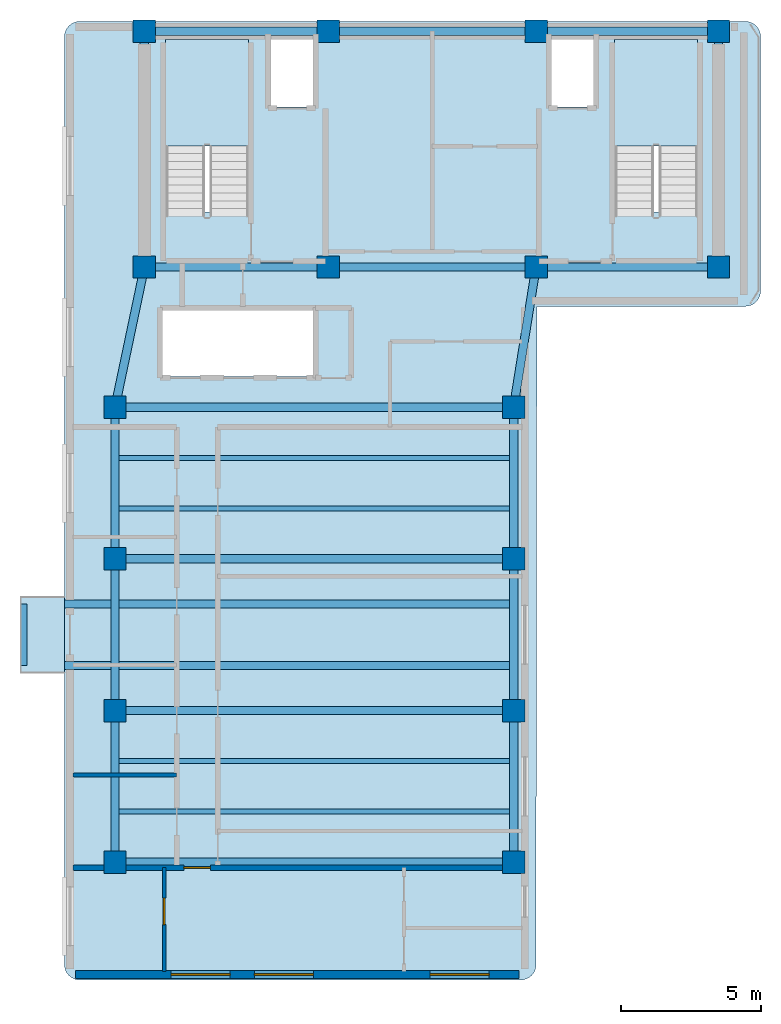
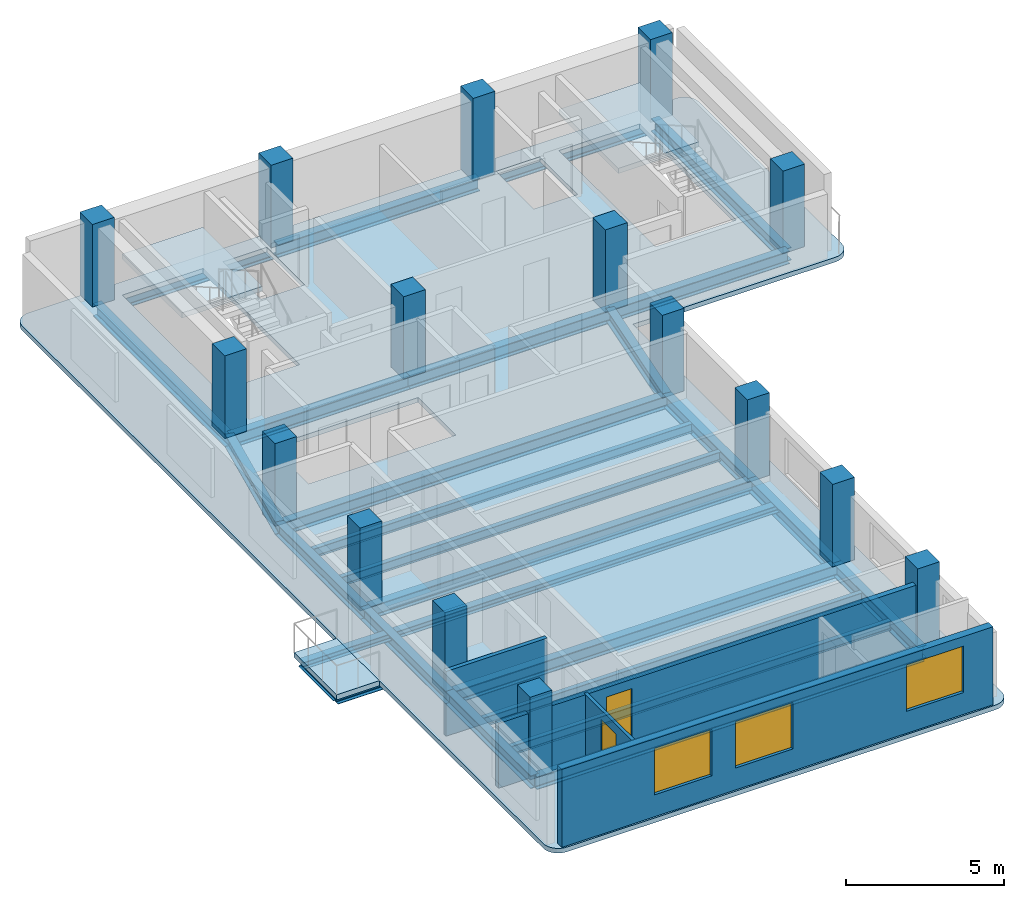
# One storey, part 1 of 6: 27 beams, 16 columns, 4 slabs, 4 walls, 3 windows, 2 doors, 5 openings, 2 elements without a shape of their own.
"""IFC4 building model written with IfcOpenShell, lengths in metres."""

from ifc_helpers import new_model, si_unit, direction, frame, frame_2d, origin, origin_2d, place, context, subcontext, project, spatial, polyline, rectangle, i_section, outline, extrude, material, layer, layer_set, material_profile, profile_set, type_object, element, fill, aggregate, save


model = new_model("IFC4")

# Units and contexts
model_context = context("Model", 3, precision=1e-05, world=origin(), true_north=direction((0.0, 1.0)))
body_context = subcontext(model_context, "Body", "Model", "MODEL_VIEW")
ifc_project = project(units=[si_unit("LENGTHUNIT", "METRE"), si_unit("AREAUNIT", "SQUARE_METRE"), si_unit("VOLUMEUNIT", "CUBIC_METRE"), si_unit("PLANEANGLEUNIT", "RADIAN"), si_unit("MASSUNIT", "GRAM", prefix="KILO")], contexts=[model_context])

# Site, building, storey
site_placement = place(None, origin())
site = spatial("IfcSite", under=ifc_project, at=site_placement, CompositionType="ELEMENT")
building_placement = place(site_placement, origin())
building = spatial("IfcBuilding", under=site, at=building_placement, Name="Kuzgunbayir Cultural Tower", CompositionType="ELEMENT")
storey_placement = place(building_placement, frame((0.0, 0.0, 218.39990234375)))
storey = spatial("IfcBuildingStorey", under=building, at=storey_placement, Name="L64", CompositionType="ELEMENT", Elevation=218.39990234375)

# Columns
ifc_material_1 = material(Name="Concrete C50/60", Category="concrete")
ifc_material_profile_1 = material_profile(ifc_material_1, rectangle(XDim=0.800048828125, YDim=0.800048828125, at=origin_2d()), Name="RC 800x800")
ifc_profile_set_1 = profile_set([ifc_material_profile_1], Name="Concrete C50/60")
column_type_1 = type_object("IfcColumnType", Name="COL-CORE-800", PredefinedType="COLUMN", material=ifc_profile_set_1)
for number, where, z_axis, x_axis, name in (
    (1, (6.449951171875, 33.800048828125, 0.0), (0.0, 0.0, 1.0), (1.0, 0.0, 0.0), "L64 T1 Core Boundary Column CC1-1"),
    (2, (13.0, 33.800048828125, 0.0), (0.0, 0.0, 1.0), (1.0, 0.0, 0.0), "L64 T1 Core Boundary Column CC1-2"),
    (3, (20.39990234375, 33.800048828125, 0.0), (0.0, 0.0, 1.0), (1.0, 0.0, 0.0), "L64 T1 Core Boundary Column CC1-3"),
    (4, (26.89990234375, 33.800048828125, 0.0), (0.0, 0.0, 1.0), (1.0, 0.0, 0.0), "L64 T1 Core Boundary Column CC1-4"),
    (5, (6.449951171875, 42.199951171875, 0.0), (0.0, 0.0, 1.0), (1.0, 0.0, 0.0), "L64 T1 Core Boundary Column CC1-5"),
    (6, (13.0, 42.199951171875, 0.0), (0.0, 0.0, 1.0), (1.0, 0.0, 0.0), "L64 T1 Core Boundary Column CC1-6"),
    (7, (20.39990234375, 42.199951171875, 0.0), (0.0, 0.0, 1.0), (1.0, 0.0, 0.0), "L64 T1 Core Boundary Column CC1-7"),
    (8, (26.89990234375, 42.199951171875, 0.0), (0.0, 0.0, 1.0), (1.0, 0.0, 0.0), "L64 T1 Core Boundary Column CC1-8"),
):
    element("IfcColumn", number, at=place(storey_placement, frame(where, z_axis=z_axis, x_axis=x_axis)), inside=storey, type_object=column_type_1, Name=name, PredefinedType="COLUMN", context=body_context, shape_type="SweptSolid", body=[
        extrude(rectangle(XDim=0.800048828125, YDim=0.800048828125, at=origin_2d()), origin(), (0.0, 0.0, 1.0), 3.2001953125),
    ])
ifc_material_profile_2 = material_profile(ifc_material_1, rectangle(XDim=0.800048828125, YDim=0.800048828125, at=origin_2d()), Name="RC 800x800")
ifc_profile_set_2 = profile_set([ifc_material_profile_2], Name="Concrete C50/60")
column_type_2 = type_object("IfcColumnType", Name="COL-T1-800", PredefinedType="COLUMN", material=ifc_profile_set_2)
for number, where, z_axis, x_axis, name in (
    (9, (5.39990234375, 12.60009765625, 0.0), (0.0, 0.0, 1.0), (1.0, 0.0, 0.0), "L64 Tower 1 Wing A Column T1A-W-1"),
    (10, (19.60009765625, 12.60009765625, 0.0), (0.0, 0.0, 1.0), (1.0, 0.0, 0.0), "L64 Tower 1 Wing A Column T1A-E-1"),
    (11, (5.39990234375, 18.0, 0.0), (0.0, 0.0, 1.0), (1.0, 0.0, 0.0), "L64 Tower 1 Wing A Column T1A-W-2"),
    (12, (19.60009765625, 18.0, 0.0), (0.0, 0.0, 1.0), (1.0, 0.0, 0.0), "L64 Tower 1 Wing A Column T1A-E-2"),
    (13, (5.39990234375, 23.39990234375, 0.0), (0.0, 0.0, 1.0), (1.0, 0.0, 0.0), "L64 Tower 1 Wing A Column T1A-W-3"),
    (14, (19.60009765625, 23.39990234375, 0.0), (0.0, 0.0, 1.0), (1.0, 0.0, 0.0), "L64 Tower 1 Wing A Column T1A-E-3"),
    (15, (5.39990234375, 28.800048828125, 0.0), (0.0, 0.0, 1.0), (1.0, 0.0, 0.0), "L64 Tower 1 Wing A Column T1A-W-4"),
    (16, (19.60009765625, 28.800048828125, 0.0), (0.0, 0.0, 1.0), (1.0, 0.0, 0.0), "L64 Tower 1 Wing A Column T1A-E-4"),
):
    element("IfcColumn", number, at=place(storey_placement, frame(where, z_axis=z_axis, x_axis=x_axis)), inside=storey, type_object=column_type_2, Name=name, PredefinedType="COLUMN", context=body_context, shape_type="SweptSolid", body=[
        extrude(rectangle(XDim=0.800048828125, YDim=0.800048828125, at=origin_2d()), origin(), (0.0, 0.0, 1.0), 3.2001953125),
    ])

# Beams
ifc_material_2 = material(Name="Steel S355J2", Category="steel")
ifc_material_profile_3 = material_profile(ifc_material_2, i_section(OverallWidth=0.280029296875, OverallDepth=0.280029296875, WebThickness=0.010498046875, FlangeThickness=0.01806640625, FilletRadius=0.02392578125, at=origin_2d()), Name="HEB 280")
ifc_profile_set_3 = profile_set([ifc_material_profile_3], Name="Steel S355J2")
beam_type_1 = type_object("IfcBeamType", Name="BM-BAL-HEB280", PredefinedType="BEAM", material=ifc_profile_set_3)
for number, where, z_axis, x_axis, name in (
    (17, (2.159912109375, 19.60009765625, -0.33984375), (1.0, 0.0, 0.0), (0.0, 1.0, 0.0), "L64 Balcony Outrigger Beam BAL-L64-WA2.1"),
    (18, (2.159912109375, 21.800048828125, -0.33984375), (1.0, 0.0, 0.0), (0.0, 1.0, 0.0), "L64 Balcony Outrigger Beam BAL-L64-WA2.2"),
):
    element("IfcBeam", number, at=place(storey_placement, frame(where, z_axis=z_axis, x_axis=x_axis)), inside=storey, type_object=beam_type_1, Name=name, PredefinedType="BEAM", context=body_context, shape_type="SweptSolid", body=[
        extrude(i_section(OverallWidth=0.280029296875, OverallDepth=0.280029296875, WebThickness=0.010498046875, FlangeThickness=0.01806640625, FilletRadius=0.02392578125, at=origin_2d()), origin(), (0.0, 0.0, 1.0), 17.440185546875),
    ])
ifc_material_profile_4 = material_profile(ifc_material_2, i_section(OverallWidth=0.199951171875, OverallDepth=0.199951171875, WebThickness=0.009033203125, FlangeThickness=0.014892578125, FilletRadius=0.01806640625, at=origin_2d()), Name="HEB 200")
ifc_profile_set_4 = profile_set([ifc_material_profile_4], Name="Steel S355J2")
beam_type_2 = type_object("IfcBeamType", Name="BM-CAN-HEB200", PredefinedType="BEAM", material=ifc_profile_set_4)
beam_1_placement = place(storey_placement, frame((2.159912109375, 19.60009765625, -0.2998046875), z_axis=(0.0, 1.0, 0.0), x_axis=(-1.0, 0.0, 0.0)))
element("IfcBeam", 19, at=beam_1_placement, inside=storey, type_object=beam_type_2, Name="L64 Balcony Edge Header BAL-L64-WA2", PredefinedType="BEAM", context=body_context, shape_type="SweptSolid", body=[
    extrude(i_section(OverallWidth=0.199951171875, OverallDepth=0.199951171875, WebThickness=0.009033203125, FlangeThickness=0.014892578125, FilletRadius=0.01806640625, at=origin_2d()), origin(), (0.0, 0.0, 1.0), 2.199951171875),
])
ifc_material_profile_5 = material_profile(ifc_material_2, i_section(OverallWidth=0.300048828125, OverallDepth=0.5, WebThickness=0.014404296875, FlangeThickness=0.028076171875, FilletRadius=0.027099609375, at=origin_2d()), Name="HEB 500")
ifc_profile_set_5 = profile_set([ifc_material_profile_5], Name="Steel S355J2")
beam_type_3 = type_object("IfcBeamType", Name="BM-EXT-HEB500", PredefinedType="BEAM", material=ifc_profile_set_5)
for number, where, z_axis, x_axis, name in (
    (20, (5.39990234375, 12.60009765625, -0.429931640625), (0.0, 1.0, 0.0), (-1.0, 0.0, 0.0), "L64 Wing A West Girder 1"),
    (21, (19.60009765625, 12.60009765625, -0.429931640625), (0.0, 1.0, 0.0), (-1.0, 0.0, 0.0), "L64 Wing A East Girder 1"),
    (22, (5.39990234375, 18.0, -0.429931640625), (0.0, 1.0, 0.0), (-1.0, 0.0, 0.0), "L64 Wing A West Girder 2"),
    (23, (19.60009765625, 18.0, -0.429931640625), (0.0, 1.0, 0.0), (-1.0, 0.0, 0.0), "L64 Wing A East Girder 2"),
):
    element("IfcBeam", number, at=place(storey_placement, frame(where, z_axis=z_axis, x_axis=x_axis)), inside=storey, type_object=beam_type_3, Name=name, PredefinedType="BEAM", context=body_context, shape_type="SweptSolid", body=[
        extrude(i_section(OverallWidth=0.300048828125, OverallDepth=0.5, WebThickness=0.014404296875, FlangeThickness=0.028076171875, FilletRadius=0.027099609375, at=origin_2d()), origin(), (0.0, 0.0, 1.0), 5.39990234375),
    ])
for number, where, z_axis, x_axis, name in (
    (24, (5.39990234375, 23.39990234375, -0.429931640625), (0.0, 1.0, 0.0), (-1.0, 0.0, 0.0), "L64 Wing A West Girder 3"),
    (25, (19.60009765625, 23.39990234375, -0.429931640625), (0.0, 1.0, 0.0), (-1.0, 0.0, 0.0), "L64 Wing A East Girder 3"),
):
    element("IfcBeam", number, at=place(storey_placement, frame(where, z_axis=z_axis, x_axis=x_axis)), inside=storey, type_object=beam_type_3, Name=name, PredefinedType="BEAM", context=body_context, shape_type="SweptSolid", body=[
        extrude(i_section(OverallWidth=0.300048828125, OverallDepth=0.5, WebThickness=0.014404296875, FlangeThickness=0.028076171875, FilletRadius=0.027099609375, at=origin_2d()), origin(), (0.0, 0.0, 1.0), 5.400146484375),
    ])
ifc_material_profile_6 = material_profile(ifc_material_2, i_section(OverallWidth=0.300048828125, OverallDepth=0.5, WebThickness=0.014404296875, FlangeThickness=0.028076171875, FilletRadius=0.027099609375, at=origin_2d()), Name="HEB 500")
ifc_profile_set_6 = profile_set([ifc_material_profile_6], Name="Steel S355J2")
beam_type_4 = type_object("IfcBeamType", Name="BM-GIR-HEB500", PredefinedType="BEAM", material=ifc_profile_set_6)
beam_2_placement = place(storey_placement, frame((6.449951171875, 33.800048828125, -0.429931640625), z_axis=(1.0, 0.0, 0.0), x_axis=(0.0, 1.0, 0.0)))
element("IfcBeam", 26, at=beam_2_placement, inside=storey, type_object=beam_type_4, Name="L64 Core South Girder 1", PredefinedType="BEAM", context=body_context, shape_type="SweptSolid", body=[
    extrude(i_section(OverallWidth=0.300048828125, OverallDepth=0.5, WebThickness=0.014404296875, FlangeThickness=0.028076171875, FilletRadius=0.027099609375, at=origin_2d()), origin(), (0.0, 0.0, 1.0), 6.550048828125),
])
beam_3_placement = place(storey_placement, frame((13.0, 33.800048828125, -0.429931640625), z_axis=(1.0, 0.0, 0.0), x_axis=(0.0, 1.0, 0.0)))
element("IfcBeam", 27, at=beam_3_placement, inside=storey, type_object=beam_type_4, Name="L64 Core South Girder 2", PredefinedType="BEAM", context=body_context, shape_type="SweptSolid", body=[
    extrude(i_section(OverallWidth=0.300048828125, OverallDepth=0.5, WebThickness=0.014404296875, FlangeThickness=0.028076171875, FilletRadius=0.027099609375, at=origin_2d()), origin(), (0.0, 0.0, 1.0), 7.39990234375),
])
beam_4_placement = place(storey_placement, frame((20.39990234375, 33.800048828125, -0.429931640625), z_axis=(1.0, 0.0, 0.0), x_axis=(0.0, 1.0, 0.0)))
element("IfcBeam", 28, at=beam_4_placement, inside=storey, type_object=beam_type_4, Name="L64 Core South Girder 3", PredefinedType="BEAM", context=body_context, shape_type="SweptSolid", body=[
    extrude(i_section(OverallWidth=0.300048828125, OverallDepth=0.5, WebThickness=0.014404296875, FlangeThickness=0.028076171875, FilletRadius=0.027099609375, at=origin_2d()), origin(), (0.0, 0.0, 1.0), 6.5),
])
beam_5_placement = place(storey_placement, frame((6.449951171875, 42.199951171875, -0.429931640625), z_axis=(1.0, 0.0, 0.0), x_axis=(0.0, 1.0, 0.0)))
element("IfcBeam", 29, at=beam_5_placement, inside=storey, type_object=beam_type_4, Name="L64 Core North Girder 1", PredefinedType="BEAM", context=body_context, shape_type="SweptSolid", body=[
    extrude(i_section(OverallWidth=0.300048828125, OverallDepth=0.5, WebThickness=0.014404296875, FlangeThickness=0.028076171875, FilletRadius=0.027099609375, at=origin_2d()), origin(), (0.0, 0.0, 1.0), 6.550048828125),
])
beam_6_placement = place(storey_placement, frame((13.0, 42.199951171875, -0.429931640625), z_axis=(1.0, 0.0, 0.0), x_axis=(0.0, 1.0, 0.0)))
element("IfcBeam", 30, at=beam_6_placement, inside=storey, type_object=beam_type_4, Name="L64 Core North Girder 2", PredefinedType="BEAM", context=body_context, shape_type="SweptSolid", body=[
    extrude(i_section(OverallWidth=0.300048828125, OverallDepth=0.5, WebThickness=0.014404296875, FlangeThickness=0.028076171875, FilletRadius=0.027099609375, at=origin_2d()), origin(), (0.0, 0.0, 1.0), 7.39990234375),
])
beam_7_placement = place(storey_placement, frame((20.39990234375, 42.199951171875, -0.429931640625), z_axis=(1.0, 0.0, 0.0), x_axis=(0.0, 1.0, 0.0)))
element("IfcBeam", 31, at=beam_7_placement, inside=storey, type_object=beam_type_4, Name="L64 Core North Girder 3", PredefinedType="BEAM", context=body_context, shape_type="SweptSolid", body=[
    extrude(i_section(OverallWidth=0.300048828125, OverallDepth=0.5, WebThickness=0.014404296875, FlangeThickness=0.028076171875, FilletRadius=0.027099609375, at=origin_2d()), origin(), (0.0, 0.0, 1.0), 6.5),
])
for number, where, z_axis, x_axis, name in (
    (32, (6.449951171875, 33.800048828125, -0.429931640625), (0.0, 1.0, 0.0), (-1.0, 0.0, 0.0), "L64 Core West Edge Girder"),
    (33, (26.89990234375, 33.800048828125, -0.429931640625), (0.0, 1.0, 0.0), (-1.0, 0.0, 0.0), "L64 Core East Edge Girder"),
):
    element("IfcBeam", number, at=place(storey_placement, frame(where, z_axis=z_axis, x_axis=x_axis)), inside=storey, type_object=beam_type_4, Name=name, PredefinedType="BEAM", context=body_context, shape_type="SweptSolid", body=[
        extrude(i_section(OverallWidth=0.300048828125, OverallDepth=0.5, WebThickness=0.014404296875, FlangeThickness=0.028076171875, FilletRadius=0.027099609375, at=origin_2d()), origin(), (0.0, 0.0, 1.0), 8.39990234375),
    ])
for number, where, z_axis, x_axis, name in (
    (34, (5.39990234375, 12.60009765625, -0.429931640625), (1.0, 0.0, 0.0), (0.0, 1.0, 0.0), "L64 Wing A Transverse Girder 1"),
    (35, (5.39990234375, 18.0, -0.429931640625), (1.0, 0.0, 0.0), (0.0, 1.0, 0.0), "L64 Wing A Transverse Girder 2"),
    (36, (5.39990234375, 23.39990234375, -0.429931640625), (1.0, 0.0, 0.0), (0.0, 1.0, 0.0), "L64 Wing A Transverse Girder 3"),
    (37, (5.39990234375, 28.800048828125, -0.429931640625), (1.0, 0.0, 0.0), (0.0, 1.0, 0.0), "L64 Wing A Transverse Girder 4"),
):
    element("IfcBeam", number, at=place(storey_placement, frame(where, z_axis=z_axis, x_axis=x_axis)), inside=storey, type_object=beam_type_4, Name=name, PredefinedType="BEAM", context=body_context, shape_type="SweptSolid", body=[
        extrude(i_section(OverallWidth=0.300048828125, OverallDepth=0.5, WebThickness=0.014404296875, FlangeThickness=0.028076171875, FilletRadius=0.027099609375, at=origin_2d()), origin(), (0.0, 0.0, 1.0), 14.2001953125),
    ])
beam_8_placement = place(storey_placement, frame((5.39990234375, 28.800048828125, -0.429931640625), z_axis=(0.205526387753, 0.978651574329, 0.0), x_axis=(-0.978651574329, 0.205526387753, 0.0)))
element("IfcBeam", 38, at=beam_8_placement, inside=storey, type_object=beam_type_4, Name="L64 Wing A West Core Floor Girder", PredefinedType="BEAM", context=body_context, shape_type="SweptSolid", body=[
    extrude(i_section(OverallWidth=0.300048828125, OverallDepth=0.5, WebThickness=0.014404296875, FlangeThickness=0.028076171875, FilletRadius=0.027099609375, at=origin_2d()), origin(), (0.0, 0.0, 1.0), 5.109130859375),
])
beam_9_placement = place(storey_placement, frame((19.60009765625, 28.800048828125, -0.429931640625), z_axis=(0.157952891656, 0.987446648694, 0.0), x_axis=(-0.987446648694, 0.157952891656, 0.0)))
element("IfcBeam", 39, at=beam_9_placement, inside=storey, type_object=beam_type_4, Name="L64 Wing A East Core Floor Girder", PredefinedType="BEAM", context=body_context, shape_type="SweptSolid", body=[
    extrude(i_section(OverallWidth=0.300048828125, OverallDepth=0.5, WebThickness=0.014404296875, FlangeThickness=0.028076171875, FilletRadius=0.027099609375, at=origin_2d()), origin(), (0.0, 0.0, 1.0), 5.0634765625),
])
ifc_material_profile_7 = material_profile(ifc_material_2, i_section(OverallWidth=0.169921875, OverallDepth=0.360107421875, WebThickness=0.008056640625, FlangeThickness=0.0126953125, FilletRadius=0.01806640625, at=origin_2d()), Name="IPE 360")
ifc_profile_set_7 = profile_set([ifc_material_profile_7], Name="Steel S355J2")
beam_type_5 = type_object("IfcBeamType", Name="BM-JST-IPE360", PredefinedType="JOIST", material=ifc_profile_set_7)
for number, where, z_axis, x_axis, name in (
    (40, (5.550048828125, 14.39990234375, -0.35986328125), (1.0, 0.0, 0.0), (0.0, 1.0, 0.0), "L64 Wing A Secondary Joist 1"),
    (41, (5.550048828125, 16.199951171875, -0.35986328125), (1.0, 0.0, 0.0), (0.0, 1.0, 0.0), "L64 Wing A Secondary Joist 2"),
    (42, (5.550048828125, 25.199951171875, -0.35986328125), (1.0, 0.0, 0.0), (0.0, 1.0, 0.0), "L64 Wing A Secondary Joist 5"),
    (43, (5.550048828125, 27.0, -0.35986328125), (1.0, 0.0, 0.0), (0.0, 1.0, 0.0), "L64 Wing A Secondary Joist 6"),
):
    element("IfcBeam", number, at=place(storey_placement, frame(where, z_axis=z_axis, x_axis=x_axis)), inside=storey, type_object=beam_type_5, Name=name, PredefinedType="JOIST", context=body_context, shape_type="SweptSolid", body=[
        extrude(i_section(OverallWidth=0.169921875, OverallDepth=0.360107421875, WebThickness=0.008056640625, FlangeThickness=0.0126953125, FilletRadius=0.01806640625, at=origin_2d()), origin(), (0.0, 0.0, 1.0), 13.89990234375),
    ])

# Slab
ifc_material_3 = material(Name="Concrete C40/50", Category="concrete")
ifc_layer_1 = layer(ifc_material_3, 0.199951171875)
ifc_layer_set_1 = layer_set([ifc_layer_1], Name="Concrete C40/50")
slab_type_1 = type_object("IfcSlabType", Name="SLB-BAL-STONE", PredefinedType="FLOOR", material=ifc_layer_set_1)
slab_1_placement = place(storey_placement, frame((0.0, 0.0, -0.199951171875)))
element("IfcSlab", 44, at=slab_1_placement, inside=storey, type_object=slab_type_1, Name="L64 Projecting Limestone Balcony BAL-L64-WA2", PredefinedType="FLOOR", context=body_context, shape_type="SweptSolid", body=[
    extrude(outline(polyline([(2.0400390625, 19.35009765625), (3.60009765625, 19.35009765625), (3.60009765625, 22.050048828125), (2.0400390625, 22.050048828125), (2.0400390625, 19.35009765625)])), origin(), (0.0, 0.0, 1.0), 0.199951171875),
])

# Stair, slab
stair_type = type_object("IfcStairType", Name="STR-EXIT-CORE", PredefinedType="HALF_TURN_STAIR", material=ifc_material_3)
stair_1_placement = place(storey_placement, origin())
stair_1 = element("IfcStair", 45, at=stair_1_placement, inside=storey, type_object=stair_type, Name="L64 ST-1", PredefinedType="HALF_TURN_STAIR")
ifc_layer_2 = layer(ifc_material_3, 0.179931640625)
ifc_layer_set_2 = layer_set([ifc_layer_2], Name="Concrete C40/50")
slab_type_2 = type_object("IfcSlabType", Name="SLB-LANDING-180", PredefinedType="LANDING", material=ifc_layer_set_2)
slab_2_placement = place(storey_placement, frame((0.0, 0.0, 1.400146484375)))
slab_2 = element("IfcSlab", 46, at=slab_2_placement, type_object=slab_type_2, Name="ST-1 landing 1", PredefinedType="LANDING", context=body_context, shape_type="SweptSolid", body=[
    extrude(outline(polyline([(10.159912109375, 38.1201171875), (10.159912109375, 41.89990234375), (7.199951171875, 41.89990234375), (7.199951171875, 38.1201171875), (10.159912109375, 38.1201171875)])), origin(), (0.0, 0.0, 1.0), 0.199951171875),
])
aggregate(stair_1, [slab_2])

stair_2_placement = place(storey_placement, origin())
stair_2 = element("IfcStair", 47, at=stair_2_placement, inside=storey, type_object=stair_type, Name="L64 ST-2", PredefinedType="HALF_TURN_STAIR")
slab_3_placement = place(storey_placement, frame((0.0, 0.0, 1.400146484375)))
slab_3 = element("IfcSlab", 48, at=slab_3_placement, type_object=slab_type_2, Name="ST-2 landing 1", PredefinedType="LANDING", context=body_context, shape_type="SweptSolid", body=[
    extrude(outline(polyline([(26.159912109375, 38.1201171875), (26.159912109375, 41.89990234375), (23.199951171875, 41.89990234375), (23.199951171875, 38.1201171875), (26.159912109375, 38.1201171875)])), origin(), (0.0, 0.0, 1.0), 0.199951171875),
])
aggregate(stair_2, [slab_3])

# Slab
ifc_layer_3 = layer(ifc_material_3, 0.179931640625)
ifc_layer_set_3 = layer_set([ifc_layer_3], Name="Concrete C40/50")
slab_type_3 = type_object("IfcSlabType", Name="SLB-TYP-180", PredefinedType="FLOOR", material=ifc_layer_set_3)
slab_4_placement = place(storey_placement, frame((0.0, 0.0, -0.179931640625)))
element("IfcSlab", 49, at=slab_4_placement, inside=storey, type_object=slab_type_3, Name="L64 Tower 1 Floor Slab T1-MAIN", PredefinedType="FLOOR", context=body_context, shape_type="SweptSolid", body=[
    extrude(outline(polyline([(20.39990234375, 8.949951171875), (20.389892578125, 8.840087890625), (20.360107421875, 8.739990234375), (20.31005859375, 8.639892578125), (20.239990234375, 8.56005859375), (20.159912109375, 8.489990234375), (20.06005859375, 8.43994140625), (19.9599609375, 8.409912109375), (19.85009765625, 8.39990234375), (4.14990234375, 8.39990234375), (4.0400390625, 8.409912109375), (3.93994140625, 8.43994140625), (3.840087890625, 8.489990234375), (3.760009765625, 8.56005859375), (3.68994140625, 8.639892578125), (3.639892578125, 8.739990234375), (3.610107421875, 8.840087890625), (3.60009765625, 8.949951171875), (3.60009765625, 42.0), (3.610107421875, 42.110107421875), (3.639892578125, 42.2099609375), (3.68994140625, 42.31005859375), (3.760009765625, 42.389892578125), (3.840087890625, 42.4599609375), (3.93994140625, 42.510009765625), (4.0400390625, 42.5400390625), (4.14990234375, 42.550048828125), (27.85009765625, 42.550048828125), (27.9599609375, 42.5400390625), (28.06005859375, 42.510009765625), (28.159912109375, 42.4599609375), (28.239990234375, 42.389892578125), (28.31005859375, 42.31005859375), (28.360107421875, 42.2099609375), (28.389892578125, 42.110107421875), (28.39990234375, 42.0), (28.39990234375, 32.949951171875), (28.389892578125, 32.840087890625), (28.360107421875, 32.739990234375), (28.31005859375, 32.639892578125), (28.239990234375, 32.56005859375), (28.159912109375, 32.489990234375), (28.06005859375, 32.43994140625), (27.9599609375, 32.409912109375), (27.85009765625, 32.39990234375), (20.429931640625, 32.39990234375), (20.39990234375, 8.949951171875)]), holes=[polyline([(7.199951171875, 35.760009765625), (7.199951171875, 41.89990234375), (10.159912109375, 41.89990234375), (10.159912109375, 35.760009765625), (7.199951171875, 35.760009765625)]), polyline([(23.199951171875, 35.760009765625), (23.199951171875, 41.89990234375), (26.159912109375, 41.89990234375), (26.159912109375, 35.760009765625), (23.199951171875, 35.760009765625)]), polyline([(7.10009765625, 29.89990234375), (7.10009765625, 32.300048828125), (12.5, 32.300048828125), (12.5, 29.89990234375), (7.10009765625, 29.89990234375)]), polyline([(10.89990234375, 39.5), (10.89990234375, 41.89990234375), (12.5, 41.89990234375), (12.5, 39.5), (10.89990234375, 39.5)]), polyline([(20.89990234375, 39.5), (20.89990234375, 41.89990234375), (22.5, 41.89990234375), (22.5, 39.5), (20.89990234375, 39.5)])]), origin(), (0.0, 0.0, 1.0), 0.179931640625),
])

# Wall, openings, windows
ifc_material_4 = material(Name="Anatolian Cream Limestone", Category="masonry")
ifc_layer_4 = layer(ifc_material_4, 0.280029296875)
ifc_layer_set_4 = layer_set([ifc_layer_4], Name="Anatolian Cream Limestone")
wall_type_1 = type_object("IfcWallType", Name="WAL-EXT-STONE-280", PredefinedType="STANDARD", material=ifc_layer_set_4)
wall_1_placement = place(storey_placement, frame((4.0, 8.60009765625, 0.0), z_axis=(0.0, 0.0, 1.0), x_axis=(1.0, 0.0, 0.0)))
wall_1 = element("IfcWall", 50, at=wall_1_placement, inside=storey, type_object=wall_type_1, Name="L64 Wing A South Limestone Wall", PredefinedType="STANDARD", context=body_context, shape_type="SweptSolid", body=[
    extrude(rectangle(XDim=15.800048828125, YDim=0.280029296875, at=frame_2d((7.89990234375, 0.0))), origin(), (0.0, 0.0, 1.0), 3.02001953125),
])
opening_1_placement = place(wall_1_placement, frame((6.3701171875, 0.0, 0.85009765625)))
opening_1 = element("IfcOpeningElement", 51, at=opening_1_placement, cuts=wall_1, Name="Opening WR-21", PredefinedType="OPENING", context=body_context, shape_type="SweptSolid", body=[
    extrude(rectangle(XDim=2.10009765625, YDim=1.800048828125, at=frame_2d((1.050048828125, 0.89990234375))), frame((0.0, 0.14990234375, 0.0), z_axis=(0.0, -1.0, 0.0), x_axis=(1.0, 0.0, 0.0)), (0.0, 0.0, 1.0), 0.300048828125),
])
opening_2_placement = place(wall_1_placement, frame((12.6298828125, 0.0, 0.85009765625)))
opening_2 = element("IfcOpeningElement", 52, at=opening_2_placement, cuts=wall_1, Name="Opening WR-21", PredefinedType="OPENING", context=body_context, shape_type="SweptSolid", body=[
    extrude(rectangle(XDim=2.10009765625, YDim=1.800048828125, at=frame_2d((1.050048828125, 0.89990234375))), frame((0.0, 0.14990234375, 0.0), z_axis=(0.0, -1.0, 0.0), x_axis=(1.0, 0.0, 0.0)), (0.0, 0.0, 1.0), 0.300048828125),
])
opening_3_placement = place(wall_1_placement, frame((3.39990234375, 0.0, 0.85009765625)))
opening_3 = element("IfcOpeningElement", 53, at=opening_3_placement, cuts=wall_1, Name="Opening WR-21", PredefinedType="OPENING", context=body_context, shape_type="SweptSolid", body=[
    extrude(rectangle(XDim=2.10009765625, YDim=1.800048828125, at=frame_2d((1.050048828125, 0.89990234375))), frame((0.0, 0.14990234375, 0.0), z_axis=(0.0, -1.0, 0.0), x_axis=(1.0, 0.0, 0.0)), (0.0, 0.0, 1.0), 0.300048828125),
])
ifc_material_5 = material(Name="Solar-Control Triple Glazing", Category="glass")
window_type = type_object("IfcWindowType", Name="WIN-RESID-21", PartitioningType="SINGLE_PANEL", PredefinedType="WINDOW", material=ifc_material_5)
window_1_placement = place(opening_1_placement, origin())
window_1 = element("IfcWindow", 54, at=window_1_placement, inside=storey, type_object=window_type, Name="L64 WAS Facade Window 2", OverallHeight=1.800048828125, OverallWidth=2.10009765625, PartitioningType="SINGLE_PANEL", PredefinedType="WINDOW", context=body_context, shape_type="SweptSolid", body=[
    extrude(rectangle(XDim=2.10009765625, YDim=1.800048828125, at=frame_2d((1.050048828125, 0.89990234375))), frame((0.0, 0.030029296875, 0.0), z_axis=(0.0, -1.0, 0.0), x_axis=(1.0, 0.0, 0.0)), (0.0, 0.0, 1.0), 0.06005859375),
])
fill(opening_1, window_1)
window_2_placement = place(opening_2_placement, origin())
window_2 = element("IfcWindow", 55, at=window_2_placement, inside=storey, type_object=window_type, Name="L64 WAS Facade Window 3", OverallHeight=1.800048828125, OverallWidth=2.10009765625, PartitioningType="SINGLE_PANEL", PredefinedType="WINDOW", context=body_context, shape_type="SweptSolid", body=[
    extrude(rectangle(XDim=2.10009765625, YDim=1.800048828125, at=frame_2d((1.050048828125, 0.89990234375))), frame((0.0, 0.030029296875, 0.0), z_axis=(0.0, -1.0, 0.0), x_axis=(1.0, 0.0, 0.0)), (0.0, 0.0, 1.0), 0.06005859375),
])
fill(opening_2, window_2)
window_3_placement = place(opening_3_placement, origin())
window_3 = element("IfcWindow", 56, at=window_3_placement, inside=storey, type_object=window_type, Name="L64 WAS Facade Window 10", OverallHeight=1.800048828125, OverallWidth=2.10009765625, PartitioningType="SINGLE_PANEL", PredefinedType="WINDOW", context=body_context, shape_type="SweptSolid", body=[
    extrude(rectangle(XDim=2.10009765625, YDim=1.800048828125, at=frame_2d((1.050048828125, 0.89990234375))), frame((0.0, 0.030029296875, 0.0), z_axis=(0.0, -1.0, 0.0), x_axis=(1.0, 0.0, 0.0)), (0.0, 0.0, 1.0), 0.06005859375),
])
fill(opening_3, window_3)

# Wall
ifc_material_6 = material(Name="Acoustic Double-Stud Drywall", Category="gypsum")
ifc_layer_5 = layer(ifc_material_6, 0.14990234375)
ifc_layer_set_5 = layer_set([ifc_layer_5], Name="Acoustic Double-Stud Drywall")
wall_type_2 = type_object("IfcWallType", Name="WAL-PART-ACOUSTIC-150", PredefinedType="PARTITIONING", material=ifc_layer_set_5)
wall_2_placement = place(storey_placement, frame((3.89990234375, 15.699951171875, 0.0), z_axis=(0.0, 0.0, 1.0), x_axis=(1.0, 0.0, 0.0)))
element("IfcWall", 57, at=wall_2_placement, inside=storey, type_object=wall_type_2, Name="L64 West Study Partition 1", PredefinedType="PARTITIONING", context=body_context, shape_type="SweptSolid", body=[
    extrude(rectangle(XDim=3.7001953125, YDim=0.14990234375, at=frame_2d((1.85009765625, 0.0))), origin(), (0.0, 0.0, 1.0), 2.510009765625),
])

# Wall, opening, door
ifc_material_7 = material(Name="Aerated Concrete Blockwork", Category="masonry")
ifc_layer_6 = layer(ifc_material_7, 0.199951171875)
ifc_layer_set_6 = layer_set([ifc_layer_6], Name="Aerated Concrete Blockwork")
wall_type_3 = type_object("IfcWallType", Name="WAL-PART-FIRE-200", PredefinedType="PARTITIONING", material=ifc_layer_set_6)
wall_3_placement = place(storey_placement, frame((3.89990234375, 12.39990234375, 0.0), z_axis=(0.0, 0.0, 1.0), x_axis=(1.0, 0.0, 0.0)))
wall_3 = element("IfcWall", 58, at=wall_3_placement, inside=storey, type_object=wall_type_3, Name="L64 South Cross Partition", PredefinedType="PARTITIONING", context=body_context, shape_type="SweptSolid", body=[
    extrude(rectangle(XDim=16.0, YDim=0.199951171875, at=frame_2d((8.0, 0.0))), origin(), (0.0, 0.0, 1.0), 2.510009765625),
])
opening_4_placement = place(wall_3_placement, frame((3.949951171875, 0.0, 0.0)))
opening_4 = element("IfcOpeningElement", 59, at=opening_4_placement, cuts=wall_3, Name="Opening DR-APT-60", PredefinedType="OPENING", context=body_context, shape_type="SweptSolid", body=[
    extrude(rectangle(XDim=0.949951171875, YDim=2.14990234375, at=frame_2d((0.47509765625, 1.074951171875))), frame((0.0, 0.10986328125, 0.0), z_axis=(0.0, -1.0, 0.0), x_axis=(1.0, 0.0, 0.0)), (0.0, 0.0, 1.0), 0.219970703125),
])
ifc_material_8 = material(Name="Acoustic Fire Timber Leaf", Category="wood")
door_type_1 = type_object("IfcDoorType", Name="DR-APT-60", OperationType="NOTDEFINED", PredefinedType="DOOR", material=ifc_material_8)
door_1_placement = place(opening_4_placement, origin())
door_1 = element("IfcDoor", 60, at=door_1_placement, inside=storey, type_object=door_type_1, Name="L64 Apartment A Entrance", OperationType="SINGLE_SWING_LEFT", OverallHeight=2.14990234375, OverallWidth=0.949951171875, PredefinedType="DOOR", context=body_context, shape_type="SweptSolid", body=[
    extrude(rectangle(XDim=0.949951171875, YDim=2.14990234375, at=frame_2d((0.47509765625, 1.074951171875))), frame((0.0, 0.02490234375, 0.0), z_axis=(0.0, -1.0, 0.0), x_axis=(1.0, 0.0, 0.0)), (0.0, 0.0, 1.0), 0.050048828125),
])
fill(opening_4, door_1)

ifc_material_9 = material(Name="Framed Gypsum Partition", Category="gypsum")
ifc_layer_7 = layer(ifc_material_9, 0.1201171875)
ifc_layer_set_7 = layer_set([ifc_layer_7], Name="Framed Gypsum Partition")
wall_type_4 = type_object("IfcWallType", Name="WAL-PART-INT-120", PredefinedType="PARTITIONING", material=ifc_layer_set_7)
wall_4_placement = place(storey_placement, frame((7.14990234375, 8.699951171875, 0.0), z_axis=(0.0, 0.0, 1.0), x_axis=(0.0, 1.0, 0.0)))
wall_4 = element("IfcWall", 61, at=wall_4_placement, inside=storey, type_object=wall_type_4, Name="L64 Flat A West Bedroom Wall", PredefinedType="PARTITIONING", context=body_context, shape_type="SweptSolid", body=[
    extrude(rectangle(XDim=3.699951171875, YDim=0.1201171875, at=frame_2d((1.85009765625, 0.0))), origin(), (0.0, 0.0, 1.0), 2.510009765625),
])
opening_5_placement = place(wall_4_placement, frame((1.669921875, 0.0, 0.0)))
opening_5 = element("IfcOpeningElement", 62, at=opening_5_placement, cuts=wall_4, Name="Opening DI-90", PredefinedType="OPENING", context=body_context, shape_type="SweptSolid", body=[
    extrude(rectangle(XDim=0.949951171875, YDim=2.14990234375, at=frame_2d((0.47509765625, 1.074951171875))), frame((0.0, 0.070068359375, 0.0), z_axis=(0.0, -1.0, 0.0), x_axis=(1.0, 0.0, 0.0)), (0.0, 0.0, 1.0), 0.14013671875),
])
ifc_material_10 = material(Name="Veneered Oak Single Leaf", Category="wood")
door_type_2 = type_object("IfcDoorType", Name="DR-INT-90", OperationType="NOTDEFINED", PredefinedType="DOOR", material=ifc_material_10)
door_2_placement = place(opening_5_placement, origin())
door_2 = element("IfcDoor", 63, at=door_2_placement, inside=storey, type_object=door_type_2, Name="L64 Apartment A Bedroom Door", OperationType="SINGLE_SWING_RIGHT", OverallHeight=2.14990234375, OverallWidth=0.949951171875, PredefinedType="DOOR", context=body_context, shape_type="SweptSolid", body=[
    extrude(rectangle(XDim=0.949951171875, YDim=2.14990234375, at=frame_2d((0.47509765625, 1.074951171875))), frame((0.0, 0.02490234375, 0.0), z_axis=(0.0, -1.0, 0.0), x_axis=(1.0, 0.0, 0.0)), (0.0, 0.0, 1.0), 0.050048828125),
])
fill(opening_5, door_2)

save(model, "model.ifc")
